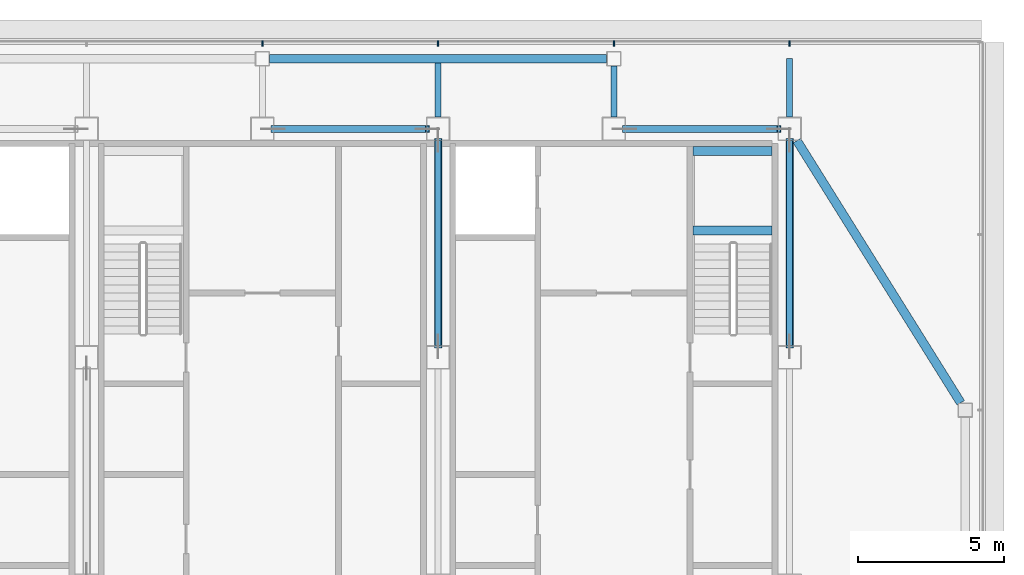
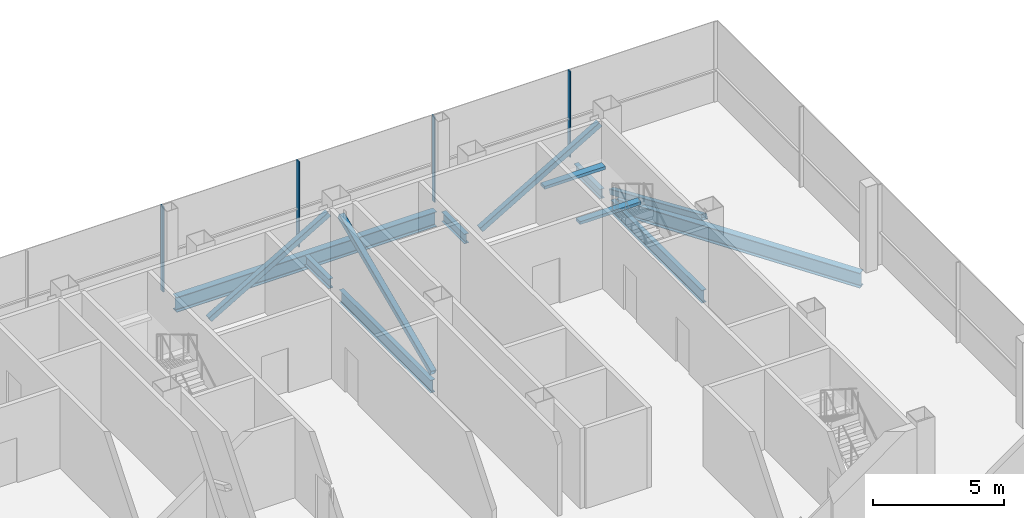
# One storey, part 13 of 26: 9 beams, 8 members, 1 element without a shape of its own.
"""IFC4 building model written with IfcOpenShell, lengths in metres."""

from ifc_helpers import new_model, si_unit, direction, frame, origin, origin_2d, place, context, subcontext, project, spatial, rectangle, hollow_rectangle, i_section, extrude, material, material_profile, profile_set, type_object, element, aggregate, save


model = new_model("IFC4")

# Units and contexts
model_context = context("Model", 3, precision=1e-05, world=origin(), true_north=direction((0.0, 1.0)))
body_context = subcontext(model_context, "Body", "Model", "MODEL_VIEW")
ifc_project = project(units=[si_unit("LENGTHUNIT", "METRE"), si_unit("AREAUNIT", "SQUARE_METRE"), si_unit("VOLUMEUNIT", "CUBIC_METRE"), si_unit("PLANEANGLEUNIT", "RADIAN"), si_unit("MASSUNIT", "GRAM", prefix="KILO")], contexts=[model_context])

# Site, building, storey
site_placement = place(None, origin())
site = spatial("IfcSite", under=ifc_project, at=site_placement, CompositionType="ELEMENT")
building_placement = place(site_placement, origin())
building = spatial("IfcBuilding", under=site, at=building_placement, Name="Sorahane Residences", CompositionType="ELEMENT")
storey_placement = place(building_placement, frame((0.0, 0.0, 337.800048828125)))
storey = spatial("IfcBuildingStorey", under=building, at=storey_placement, Name="L80", CompositionType="ELEMENT", Elevation=337.800048828125)

# Members
ifc_material_1 = material(Name="Steel Q355B", Category="steel")
ifc_material_profile_1 = material_profile(ifc_material_1, hollow_rectangle(XDim=0.25, YDim=0.25, WallThickness=0.011962890625, InnerFilletRadius=0.006103515625, OuterFilletRadius=0.01806640625, at=origin_2d()), Name="RHS 250x250x12")
ifc_profile_set_1 = profile_set([ifc_material_profile_1], Name="Steel Q355B")
member_type_1 = type_object("IfcMemberType", Name="Core brace RHS 250x250x12 Q355B", PredefinedType="BRACE", material=ifc_profile_set_1)
for number, where, z_axis, x_axis, name in (
    (1, (24.362060546875, 45.60009765625, 0.102783203125), (0.862574842184, 0.0, 0.505929482864), (0.0, 1.0, 0.0), "Core brace L80 y45.6-4"),
    (2, (36.362060546875, 45.60009765625, 0.102783203125), (0.862574842184, 0.0, 0.505929482864), (0.0, 1.0, 0.0), "Core brace L80 y45.6-6"),
):
    element("IfcMember", number, at=place(storey_placement, frame(where, z_axis=z_axis, x_axis=x_axis)), inside=storey, type_object=member_type_1, Name=name, PredefinedType="BRACE", context=body_context, shape_type="SweptSolid", body=[
        extrude(hollow_rectangle(XDim=0.25, YDim=0.25, WallThickness=0.011962890625, InnerFilletRadius=0.006103515625, OuterFilletRadius=0.01806640625, at=origin_2d()), origin(), (0.0, 0.0, 1.0), 6.116455078125),
    ])
for number, where, z_axis, x_axis, name in (
    (3, (42.0, 45.22998046875, 0.11181640625), (0.0, -0.916757291072, 0.399444701138), (1.0, 0.0, 0.0), "Core brace L80 x42-3"),
    (4, (30.0, 38.169921875, 0.11181640625), (0.0, 0.916757291072, 0.399444701138), (-1.0, 0.0, 0.0), "Core brace L80 x30-2"),
):
    element("IfcMember", number, at=place(storey_placement, frame(where, z_axis=z_axis, x_axis=x_axis)), inside=storey, type_object=member_type_1, Name=name, PredefinedType="BRACE", context=body_context, shape_type="SweptSolid", body=[
        extrude(hollow_rectangle(XDim=0.25, YDim=0.25, WallThickness=0.011962890625, InnerFilletRadius=0.006103515625, OuterFilletRadius=0.01806640625, at=origin_2d()), origin(), (0.0, 0.0, 1.0), 7.701171875),
    ])

# Curtain wall, members
ifc_material_2 = material(Name="Dark low-e glass and black anodised aluminium", Category="aluminium")
curtain_wall_type = type_object("IfcCurtainWallType", Name="Curtain wall CW-6 Crown unitised wall", PredefinedType="NOTDEFINED", material=ifc_material_2)
curtain_wall_placement = place(storey_placement, origin())
curtain_wall = element("IfcCurtainWall", 5, at=curtain_wall_placement, inside=storey, type_object=curtain_wall_type, Name="CW-6 curtain wall L80 N1", PredefinedType="NOTDEFINED")
ifc_material_3 = material(Name="Black anodised aluminium", Category="aluminium")
ifc_material_profile_2 = material_profile(ifc_material_3, rectangle(XDim=0.199951171875, YDim=0.050048828125, at=origin_2d()), Name="Curtain wall mullion CW-6 black anodised aluminium 50x200")
ifc_profile_set_2 = profile_set([ifc_material_profile_2], Name="Black anodised aluminium")
member_type_2 = type_object("IfcMemberType", Name="Curtain wall mullion CW-6 black anodised aluminium 50x200", PredefinedType="MULLION", material=ifc_profile_set_2)
member_1_placement = place(storey_placement, frame((42.0, 48.52001953125, -0.25), z_axis=(0.0, 0.0, 1.0), x_axis=(0.0, 1.0, 0.0)))
member_1 = element("IfcMember", 6, at=member_1_placement, type_object=member_type_2, Name="CW-6 mullion L80 N1.2", PredefinedType="MULLION", context=body_context, shape_type="SweptSolid", body=[
    extrude(rectangle(XDim=0.199951171875, YDim=0.050048828125, at=origin_2d()), origin(), (0.0, 0.0, 1.0), 4.0),
])
member_2_placement = place(storey_placement, frame((36.0, 48.52001953125, -0.25), z_axis=(0.0, 0.0, 1.0), x_axis=(0.0, 1.0, 0.0)))
member_2 = element("IfcMember", 7, at=member_2_placement, type_object=member_type_2, Name="CW-6 mullion L80 N1.3", PredefinedType="MULLION", context=body_context, shape_type="SweptSolid", body=[
    extrude(rectangle(XDim=0.199951171875, YDim=0.050048828125, at=origin_2d()), origin(), (0.0, 0.0, 1.0), 4.0),
])
member_3_placement = place(storey_placement, frame((30.0, 48.52001953125, -0.25), z_axis=(0.0, 0.0, 1.0), x_axis=(0.0, 1.0, 0.0)))
member_3 = element("IfcMember", 8, at=member_3_placement, type_object=member_type_2, Name="CW-6 mullion L80 N1.4", PredefinedType="MULLION", context=body_context, shape_type="SweptSolid", body=[
    extrude(rectangle(XDim=0.199951171875, YDim=0.050048828125, at=origin_2d()), origin(), (0.0, 0.0, 1.0), 4.0),
])
member_4_placement = place(storey_placement, frame((24.0, 48.52001953125, -0.25), z_axis=(0.0, 0.0, 1.0), x_axis=(0.0, 1.0, 0.0)))
member_4 = element("IfcMember", 9, at=member_4_placement, type_object=member_type_2, Name="CW-6 mullion L80 N1.5", PredefinedType="MULLION", context=body_context, shape_type="SweptSolid", body=[
    extrude(rectangle(XDim=0.199951171875, YDim=0.050048828125, at=origin_2d()), origin(), (0.0, 0.0, 1.0), 4.0),
])
aggregate(curtain_wall, [member_1, member_2, member_3, member_4])

# Beams
ifc_material_4 = material(Name="Concrete C40", Category="concrete")
ifc_material_profile_3 = material_profile(ifc_material_4, rectangle(XDim=0.300048828125, YDim=0.139892578125, at=origin_2d()), Name="300x140")
ifc_profile_set_3 = profile_set([ifc_material_profile_3], Name="Concrete C40")
beam_type_1 = type_object("IfcBeamType", Name="RC landing beam 300 x 140 Concrete C40", PredefinedType="BEAM", material=ifc_profile_set_3)
for number, where, z_axis, x_axis, name in (
    (10, (38.699951171875, 42.1298828125, 1.72998046875), (1.0, 0.0, 0.0), (0.0, 1.0, 0.0), "Landing beam"),
    (11, (38.699951171875, 44.85009765625, 1.72998046875), (1.0, 0.0, 0.0), (0.0, 1.0, 0.0), "Landing beam"),
):
    element("IfcBeam", number, at=place(storey_placement, frame(where, z_axis=z_axis, x_axis=x_axis)), inside=storey, type_object=beam_type_1, Name=name, PredefinedType="BEAM", context=body_context, shape_type="SweptSolid", body=[
        extrude(rectangle(XDim=0.300048828125, YDim=0.139892578125, at=origin_2d()), origin(), (0.0, 0.0, 1.0), 2.699951171875),
    ])
ifc_material_5 = material(Name="Steel Q355B", Category="steel")
ifc_material_profile_4 = material_profile(ifc_material_5, i_section(OverallWidth=0.199951171875, OverallDepth=0.449951171875, WebThickness=0.009033203125, FlangeThickness=0.013916015625, FilletRadius=0.02001953125, at=origin_2d()), Name="HN 450x200x9x14")
ifc_profile_set_4 = profile_set([ifc_material_profile_4], Name="Steel Q355B")
beam_type_2 = type_object("IfcBeamType", Name="Steel floor beam HN 450x200x9x14 Q355B", PredefinedType="BEAM", material=ifc_profile_set_4)
beam_1_placement = place(storey_placement, frame((30.0, 46.0, -0.47509765625), z_axis=(0.0, 1.0, 0.0), x_axis=(-1.0, 0.0, 0.0)))
element("IfcBeam", 12, at=beam_1_placement, inside=storey, type_object=beam_type_2, Name="Beam L80 040", PredefinedType="BEAM", context=body_context, shape_type="SweptSolid", body=[
    extrude(i_section(OverallWidth=0.199951171875, OverallDepth=0.449951171875, WebThickness=0.009033203125, FlangeThickness=0.013916015625, FilletRadius=0.02001953125, at=origin_2d()), origin(), (0.0, 0.0, 1.0), 1.85009765625),
])
beam_2_placement = place(storey_placement, frame((36.0, 46.0, -0.47509765625), z_axis=(0.0, 1.0, 0.0), x_axis=(-1.0, 0.0, 0.0)))
element("IfcBeam", 13, at=beam_2_placement, inside=storey, type_object=beam_type_2, Name="Beam L80 042", PredefinedType="BEAM", context=body_context, shape_type="SweptSolid", body=[
    extrude(i_section(OverallWidth=0.199951171875, OverallDepth=0.449951171875, WebThickness=0.009033203125, FlangeThickness=0.013916015625, FilletRadius=0.02001953125, at=origin_2d()), origin(), (0.0, 0.0, 1.0), 1.75),
])
beam_3_placement = place(storey_placement, frame((42.0, 46.0, -0.47509765625), z_axis=(0.0, 1.0, 0.0), x_axis=(-1.0, 0.0, 0.0)))
element("IfcBeam", 14, at=beam_3_placement, inside=storey, type_object=beam_type_2, Name="Beam L80 048", PredefinedType="BEAM", context=body_context, shape_type="SweptSolid", body=[
    extrude(i_section(OverallWidth=0.199951171875, OverallDepth=0.449951171875, WebThickness=0.009033203125, FlangeThickness=0.013916015625, FilletRadius=0.02001953125, at=origin_2d()), origin(), (0.0, 0.0, 1.0), 2.0),
])
ifc_material_6 = material(Name="Steel Q355B", Category="steel")
ifc_material_profile_5 = material_profile(ifc_material_6, i_section(OverallWidth=0.199951171875, OverallDepth=0.60009765625, WebThickness=0.010986328125, FlangeThickness=0.01708984375, FilletRadius=0.02392578125, at=origin_2d()), Name="HN 600x200x11x17")
ifc_profile_set_5 = profile_set([ifc_material_profile_5], Name="Steel Q355B")
beam_type_3 = type_object("IfcBeamType", Name="Steel floor beam HN 600x200x11x17 Q355B", PredefinedType="BEAM", material=ifc_profile_set_5)
for number, where, z_axis, x_axis, name in (
    (15, (30.0, 38.199951171875, -0.550048828125), (0.0, 1.0, 0.0), (-1.0, 0.0, 0.0), "Beam L80 039"),
    (16, (42.0, 38.199951171875, -0.550048828125), (0.0, 1.0, 0.0), (-1.0, 0.0, 0.0), "Beam L80 046"),
):
    element("IfcBeam", number, at=place(storey_placement, frame(where, z_axis=z_axis, x_axis=x_axis)), inside=storey, type_object=beam_type_3, Name=name, PredefinedType="BEAM", context=body_context, shape_type="SweptSolid", body=[
        extrude(i_section(OverallWidth=0.199951171875, OverallDepth=0.60009765625, WebThickness=0.010986328125, FlangeThickness=0.01708984375, FilletRadius=0.02392578125, at=origin_2d()), origin(), (0.0, 0.0, 1.0), 7.0),
    ])
ifc_material_7 = material(Name="Steel Q355B", Category="steel")
ifc_material_profile_6 = material_profile(ifc_material_7, i_section(OverallWidth=0.300048828125, OverallDepth=0.699951171875, WebThickness=0.012939453125, FlangeThickness=0.02392578125, FilletRadius=0.028076171875, at=origin_2d()), Name="HN 700x300x13x24")
ifc_profile_set_6 = profile_set([ifc_material_profile_6], Name="Steel Q355B")
beam_type_4 = type_object("IfcBeamType", Name="Steel floor beam HN 700x300x13x24 Q355B", PredefinedType="BEAM", material=ifc_profile_set_6)
beam_4_placement = place(storey_placement, frame((24.25, 48.0, -0.60009765625), z_axis=(1.0, 0.0, 0.0), x_axis=(0.0, 1.0, 0.0)))
element("IfcBeam", 17, at=beam_4_placement, inside=storey, type_object=beam_type_4, Name="Beam L80 013", PredefinedType="BEAM", context=body_context, shape_type="SweptSolid", body=[
    extrude(i_section(OverallWidth=0.300048828125, OverallDepth=0.699951171875, WebThickness=0.012939453125, FlangeThickness=0.02392578125, FilletRadius=0.028076171875, at=origin_2d()), origin(), (0.0, 0.0, 1.0), 11.5),
])
beam_5_placement = place(storey_placement, frame((42.25, 45.199951171875, -0.60009765625), z_axis=(0.530001019285, -0.84799700445, 0.0), x_axis=(0.84799700445, 0.530001019285, 0.0)))
element("IfcBeam", 18, at=beam_5_placement, inside=storey, type_object=beam_type_4, Name="Beam L80 069", PredefinedType="BEAM", context=body_context, shape_type="SweptSolid", body=[
    extrude(i_section(OverallWidth=0.300048828125, OverallDepth=0.699951171875, WebThickness=0.012939453125, FlangeThickness=0.02392578125, FilletRadius=0.028076171875, at=origin_2d()), origin(), (0.0, 0.0, 1.0), 10.55419921875),
])

save(model, "model.ifc")
